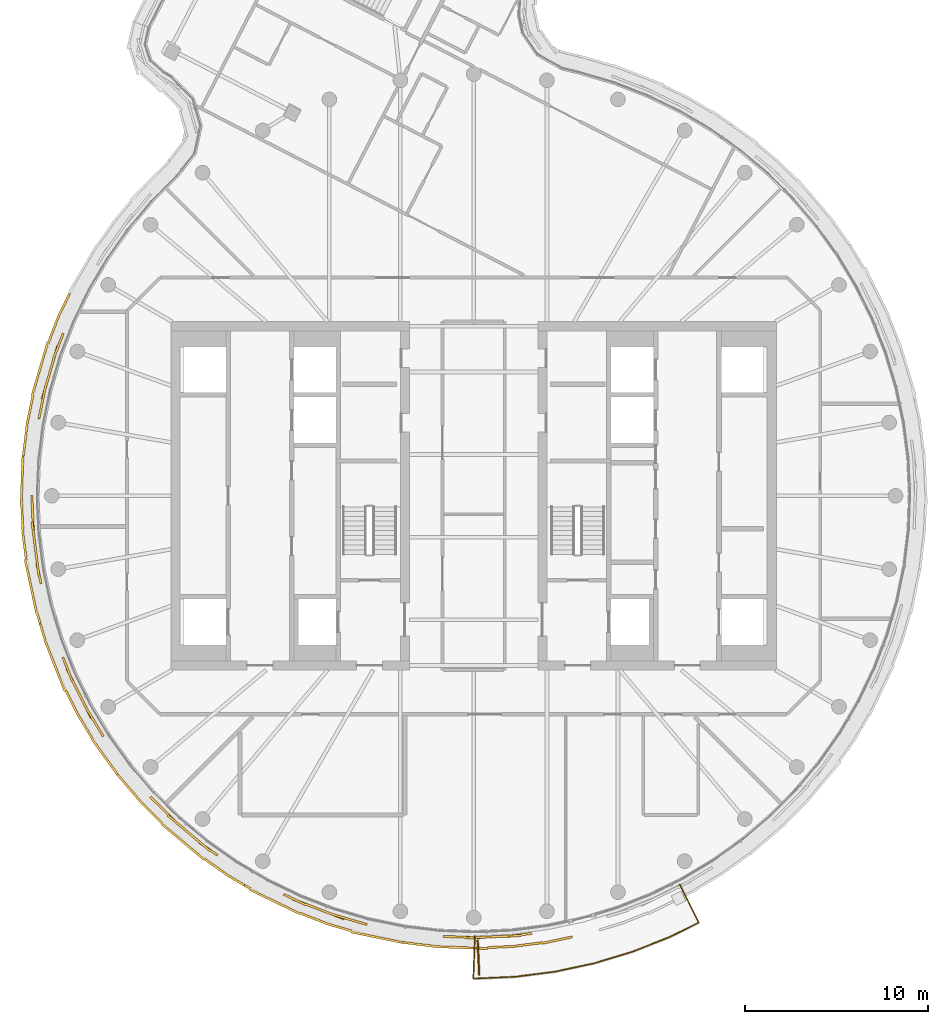
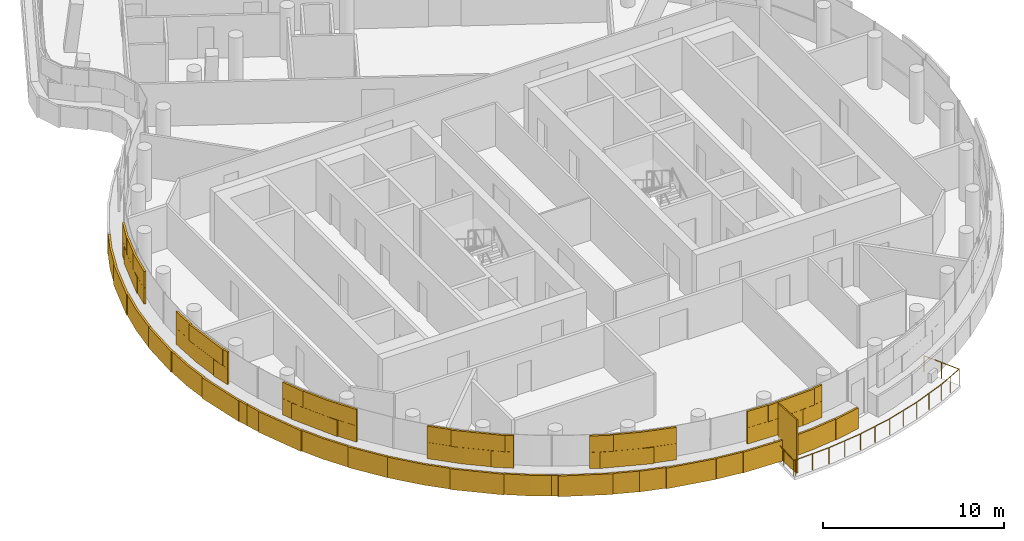
# One storey, part 17 of 21: 6 coverings, 1 railing, 1 shading device.
"""IFC4 building model written with IfcOpenShell, lengths in metres."""

from ifc_helpers import new_model, si_unit, direction, frame, origin, origin_2d, place, context, subcontext, project, spatial, rectangle, circle, extrude, material, layer, layer_set, type_object, element, save


model = new_model("IFC4")

# Units and contexts
model_context = context("Model", 3, precision=1e-05, world=origin(), true_north=direction((0.0, 1.0)))
body_context = subcontext(model_context, "Body", "Model", "MODEL_VIEW")
ifc_project = project(units=[si_unit("LENGTHUNIT", "METRE"), si_unit("AREAUNIT", "SQUARE_METRE"), si_unit("VOLUMEUNIT", "CUBIC_METRE"), si_unit("PLANEANGLEUNIT", "RADIAN"), si_unit("MASSUNIT", "GRAM", prefix="KILO")], contexts=[model_context])

# Site, building, storey
site_placement = place(None, origin())
site = spatial("IfcSite", under=ifc_project, at=site_placement, CompositionType="ELEMENT")
building_placement = place(site_placement, origin())
building = spatial("IfcBuilding", under=site, at=building_placement, Name="Tamarind Cross Interchange Tower", CompositionType="ELEMENT")
storey_placement = place(building_placement, frame((0.0, 0.0, 260.39990234375)))
storey = spatial("IfcBuildingStorey", under=building, at=storey_placement, Name="L66", CompositionType="ELEMENT", Elevation=260.39990234375)

# Railing
ifc_material_1 = material(Name="Stainless steel and laminated glass", Category="steel")
railing_type = type_object("IfcRailingType", Name="Balcony guard", PredefinedType="BALUSTRADE", material=ifc_material_1)
railing_placement = place(storey_placement, frame((0.0654296875, -23.994384765625, 0.0)))
element("IfcRailing", 1, at=railing_placement, inside=storey, type_object=railing_type, Name="Balcony guard 01", PredefinedType="BALUSTRADE", context=body_context, shape_type="SweptSolid", body=[
    extrude(circle(Radius=0.02490234375, at=origin_2d()), frame((0.0, 0.0, 1.0751953125), z_axis=(-0.037042798585, -0.999313680019, 0.0), x_axis=(0.999313680019, -0.037042798585, 0.0)), (0.0, 0.0, 1.0), 2.320068359375),
    extrude(circle(Radius=0.02490234375, at=origin_2d()), frame((-0.0859375, -2.318359375, 1.0751953125), z_axis=(0.999334672785, -0.03647206835, 0.0), x_axis=(0.03647206835, 0.999334672785, 0.0)), (0.0, 0.0, 1.0), 0.1337890625),
    extrude(circle(Radius=0.02490234375, at=origin_2d()), frame((0.0478515625, -2.3232421875, 1.0751953125), z_axis=(0.998961121212, 0.045570585979, 0.0), x_axis=(-0.045570585979, 0.998961121212, 0.0)), (0.0, 0.0, 1.0), 2.175048828125),
    extrude(circle(Radius=0.02490234375, at=origin_2d()), frame((2.220703125, -2.22412109375, 1.0751953125), z_axis=(0.991779704699, 0.127957091824, 0.0), x_axis=(-0.127957091824, 0.991779704699, 0.0)), (0.0, 0.0, 1.0), 2.175048828125),
    extrude(circle(Radius=0.02490234375, at=origin_2d()), frame((4.3779296875, -1.94580078125, 1.0751953125), z_axis=(0.977822119933, 0.209437106955, 0.0), x_axis=(-0.209437106955, 0.977822119933, 0.0)), (0.0, 0.0, 1.0), 2.17529296875),
    extrude(circle(Radius=0.02490234375, at=origin_2d()), frame((6.5048828125, -1.490234375, 1.0751953125), z_axis=(0.957187563191, 0.289468424656, 0.0), x_axis=(-0.289468424656, 0.957187563191, 0.0)), (0.0, 0.0, 1.0), 2.175048828125),
    extrude(circle(Radius=0.02490234375, at=origin_2d()), frame((8.5869140625, -0.860595703125, 1.0751953125), z_axis=(0.930047255074, 0.367439931593, 0.0), x_axis=(-0.367439931593, 0.930047255074, 0.0)), (0.0, 0.0, 1.0), 2.17529296875),
    extrude(circle(Radius=0.02490234375, at=origin_2d()), frame((10.610107421875, -0.061279296875, 1.0751953125), z_axis=(0.896477310399, 0.443089643232, 0.0), x_axis=(-0.443089643232, 0.896477310399, 0.0)), (0.0, 0.0, 1.0), 1.778076171875),
    extrude(circle(Radius=0.02490234375, at=origin_2d()), frame((12.2041015625, 0.7265625, 1.0751953125), z_axis=(-0.443125989283, 0.896459345214, 0.0), x_axis=(-0.896459345214, -0.443125989283, 0.0)), (0.0, 0.0, 1.0), 2.320068359375),
    extrude(circle(Radius=0.02001953125, at=origin_2d()), origin(), (0.0, 0.0, 1.0), 1.050048828125),
    extrude(circle(Radius=0.02001953125, at=origin_2d()), frame((-0.04296875, -1.1591796875, 0.0)), (0.0, 0.0, 1.0), 1.050048828125),
    extrude(circle(Radius=0.02001953125, at=origin_2d()), frame((-0.0859375, -2.318359375, 0.0)), (0.0, 0.0, 1.0), 1.050048828125),
    extrude(circle(Radius=0.02001953125, at=origin_2d()), frame((0.0478515625, -2.3232421875, 0.0)), (0.0, 0.0, 1.0), 1.050048828125),
    extrude(circle(Radius=0.02001953125, at=origin_2d()), frame((1.13427734375, -2.273681640625, 0.0)), (0.0, 0.0, 1.0), 1.050048828125),
    extrude(circle(Radius=0.02001953125, at=origin_2d()), frame((2.220703125, -2.22412109375, 0.0)), (0.0, 0.0, 1.0), 1.050048828125),
    extrude(circle(Radius=0.02001953125, at=origin_2d()), frame((3.29931640625, -2.0849609375, 0.0)), (0.0, 0.0, 1.0), 1.050048828125),
    extrude(circle(Radius=0.02001953125, at=origin_2d()), frame((4.3779296875, -1.94580078125, 0.0)), (0.0, 0.0, 1.0), 1.050048828125),
    extrude(circle(Radius=0.02001953125, at=origin_2d()), frame((5.44140625, -1.718017578125, 0.0)), (0.0, 0.0, 1.0), 1.050048828125),
    extrude(circle(Radius=0.02001953125, at=origin_2d()), frame((6.5048828125, -1.490234375, 0.0)), (0.0, 0.0, 1.0), 1.050048828125),
    extrude(circle(Radius=0.02001953125, at=origin_2d()), frame((7.5458984375, -1.17529296875, 0.0)), (0.0, 0.0, 1.0), 1.050048828125),
    extrude(circle(Radius=0.02001953125, at=origin_2d()), frame((8.5869140625, -0.860595703125, 0.0)), (0.0, 0.0, 1.0), 1.050048828125),
    extrude(circle(Radius=0.02001953125, at=origin_2d()), frame((9.5986328125, -0.4609375, 0.0)), (0.0, 0.0, 1.0), 1.050048828125),
    extrude(circle(Radius=0.02001953125, at=origin_2d()), frame((10.610107421875, -0.061279296875, 0.0)), (0.0, 0.0, 1.0), 1.050048828125),
    extrude(circle(Radius=0.02001953125, at=origin_2d()), frame((11.4072265625, 0.33251953125, 0.0)), (0.0, 0.0, 1.0), 1.050048828125),
    extrude(circle(Radius=0.02001953125, at=origin_2d()), frame((12.2041015625, 0.7265625, 0.0)), (0.0, 0.0, 1.0), 1.050048828125),
    extrude(circle(Radius=0.02001953125, at=origin_2d()), frame((11.68994140625, 1.7666015625, 0.0)), (0.0, 0.0, 1.0), 1.050048828125),
    extrude(circle(Radius=0.02001953125, at=origin_2d()), frame((11.176025390625, 2.806396484375, 0.0)), (0.0, 0.0, 1.0), 1.050048828125),
])

# Shading device
ifc_material_2 = material(Name="Bronze-finish aluminium louvre", Category="aluminium")
ifc_layer_1 = layer(ifc_material_2, 0.080078125)
ifc_layer_set_1 = layer_set([ifc_layer_1], Name="Bronze-finish aluminium louvre")
shading_device_type = type_object("IfcShadingDeviceType", Name="Operable louvre bay", PredefinedType="JALOUSIE", material=ifc_layer_set_1)
shading_device_placement = place(storey_placement, origin())
element("IfcShadingDevice", 2, at=shading_device_placement, inside=storey, type_object=shading_device_type, Name="LVR-L66-BAL01", PredefinedType="JALOUSIE", context=body_context, shape_type="SweptSolid", body=[
    extrude(rectangle(XDim=1.89990234375, YDim=0.080078125, at=origin_2d()), frame((0.260009765625, -25.189697265625, 0.0), z_axis=(0.0, 0.0, 1.0), x_axis=(0.045624486728, -0.998958660912, 0.0)), (0.0, 0.0, 1.0), 3.60009765625),
])

# Coverings
ifc_material_3 = material(Name="Terracotta", Category="masonry")
ifc_layer_2 = layer(ifc_material_3, 0.1201171875)
ifc_layer_set_2 = layer_set([ifc_layer_2], Name="Terracotta")
covering_type = type_object("IfcCoveringType", Name="Terracotta baguette screen unit", PredefinedType="MOLDING", material=ifc_layer_set_2)
covering_1_placement = place(storey_placement, origin())
element("IfcCovering", 3, at=covering_1_placement, inside=storey, type_object=covering_type, Name="SCR-L66-01-02", PredefinedType="MOLDING", context=body_context, shape_type="SweptSolid", body=[
    extrude(rectangle(XDim=0.7509765625, YDim=0.1201171875, at=origin_2d()), frame((-22.515625, 8.498291015625, 1.404296875), z_axis=(0.0, 0.0, 1.0), x_axis=(-0.359495435512, -0.933146843667, 0.0)), (0.0, 0.0, 1.0), 1.092041015625),
    extrude(rectangle(XDim=1.52001953125, YDim=0.1201171875, at=origin_2d()), frame((-22.895751953125, 7.445068359375, 1.404296875), z_axis=(0.0, 0.0, 1.0), x_axis=(-0.281208920763, -0.95964657186, 0.0)), (0.0, 0.0, 1.0), 1.092041015625),
    extrude(rectangle(XDim=1.52001953125, YDim=0.1201171875, at=origin_2d()), frame((-23.317626953125, 6.005615234375, 1.404296875), z_axis=(0.0, 0.0, 1.0), x_axis=(-0.281208920763, -0.95964657186, 0.0)), (0.0, 0.0, 1.0), 1.092041015625),
    extrude(rectangle(XDim=1.1123046875, YDim=0.1201171875, at=origin_2d()), frame((-23.59521484375, 4.73486328125, 1.404296875), z_axis=(0.0, 0.0, 1.0), x_axis=(-0.201001463943, -0.9795909409, 0.0)), (0.0, 0.0, 1.0), 1.092041015625),
    extrude(rectangle(XDim=1.5009765625, YDim=0.1201171875, at=origin_2d()), frame((-22.650390625, 8.148193359375, 2.50390625), z_axis=(0.0, 0.0, 1.0), x_axis=(-0.359495435512, -0.933146843667, 0.0)), (0.0, 0.0, 1.0), 1.092041015625),
    extrude(rectangle(XDim=1.52001953125, YDim=0.1201171875, at=origin_2d()), frame((-23.106689453125, 6.725341796875, 2.50390625), z_axis=(0.0, 0.0, 1.0), x_axis=(-0.281208920763, -0.95964657186, 0.0)), (0.0, 0.0, 1.0), 1.092041015625),
    extrude(rectangle(XDim=1.52001953125, YDim=0.1201171875, at=origin_2d()), frame((-23.484619140625, 5.27490234375, 2.50390625), z_axis=(0.0, 0.0, 1.0), x_axis=(-0.201001463943, -0.9795909409, 0.0)), (0.0, 0.0, 1.0), 1.092041015625),
    extrude(rectangle(XDim=0.3623046875, YDim=0.1201171875, at=origin_2d()), frame((-23.670654296875, 4.36767578125, 2.50390625), z_axis=(0.0, 0.0, 1.0), x_axis=(-0.201001463943, -0.9795909409, 0.0)), (0.0, 0.0, 1.0), 1.092041015625),
    extrude(rectangle(XDim=1.420654296875, YDim=0.1201171875, at=origin_2d()), frame((-22.350830078125, 10.377685546875, 0.004150390625), z_axis=(0.0, 0.0, 1.0), x_axis=(-0.435326231914, -0.900272776334, 0.0)), (0.0, 0.0, 1.0), 1.39208984375),
    extrude(rectangle(XDim=1.52001953125, YDim=0.1201171875, at=origin_2d()), frame((-22.920166015625, 9.044921875, 0.004150390625), z_axis=(0.0, 0.0, 1.0), x_axis=(-0.359495435512, -0.933146843667, 0.0)), (0.0, 0.0, 1.0), 1.39208984375),
    extrude(rectangle(XDim=1.52001953125, YDim=0.1201171875, at=origin_2d()), frame((-23.4375, 7.6376953125, 0.004150390625), z_axis=(0.0, 0.0, 1.0), x_axis=(-0.281208920763, -0.95964657186, 0.0)), (0.0, 0.0, 1.0), 1.39208984375),
    extrude(rectangle(XDim=1.52001953125, YDim=0.1201171875, at=origin_2d()), frame((-23.859130859375, 6.1982421875, 0.004150390625), z_axis=(0.0, 0.0, 1.0), x_axis=(-0.281208920763, -0.95964657186, 0.0)), (0.0, 0.0, 1.0), 1.39208984375),
    extrude(rectangle(XDim=1.52001953125, YDim=0.1201171875, at=origin_2d()), frame((-24.181396484375, 4.734130859375, 0.004150390625), z_axis=(0.0, 0.0, 1.0), x_axis=(-0.201001463943, -0.9795909409, 0.0)), (0.0, 0.0, 1.0), 1.39208984375),
    extrude(rectangle(XDim=1.52001953125, YDim=0.1201171875, at=origin_2d()), frame((-24.425537109375, 3.25537109375, 0.004150390625), z_axis=(0.0, 0.0, 1.0), x_axis=(-0.119420963295, -0.992843710523, 0.0)), (0.0, 0.0, 1.0), 1.39208984375),
    extrude(rectangle(XDim=0.358154296875, YDim=0.1201171875, at=origin_2d()), frame((-24.53515625, 2.3427734375, 0.004150390625), z_axis=(0.0, 0.0, 1.0), x_axis=(-0.119420963295, -0.992843710523, 0.0)), (0.0, 0.0, 1.0), 1.39208984375),
])
covering_2_placement = place(storey_placement, origin())
element("IfcCovering", 4, at=covering_2_placement, inside=storey, type_object=covering_type, Name="SCR-L66-01-03", PredefinedType="MOLDING", context=body_context, shape_type="SweptSolid", body=[
    extrude(rectangle(XDim=0.707763671875, YDim=0.1201171875, at=origin_2d()), frame((-24.075439453125, -0.3310546875, 1.404296875), z_axis=(0.0, 0.0, 1.0), x_axis=(0.045624486728, -0.998958660912, 0.0)), (0.0, 0.0, 1.0), 1.092041015625),
    extrude(rectangle(XDim=1.52001953125, YDim=0.1201171875, at=origin_2d()), frame((-24.025390625, -1.4287109375, 1.404296875), z_axis=(0.0, 0.0, 1.0), x_axis=(0.045624486728, -0.998958660912, 0.0)), (0.0, 0.0, 1.0), 1.092041015625),
    extrude(rectangle(XDim=1.52001953125, YDim=0.1201171875, at=origin_2d()), frame((-23.887939453125, -2.921142578125, 1.404296875), z_axis=(0.0, 0.0, 1.0), x_axis=(0.127962008342, -0.991779070368, 0.0)), (0.0, 0.0, 1.0), 1.092041015625),
    extrude(rectangle(XDim=1.155029296875, YDim=0.1201171875, at=origin_2d()), frame((-23.705078125, -4.23046875, 1.404296875), z_axis=(0.0, 0.0, 1.0), x_axis=(0.209425419705, -0.977824623121, 0.0)), (0.0, 0.0, 1.0), 1.092041015625),
    extrude(rectangle(XDim=1.457763671875, YDim=0.1201171875, at=origin_2d()), frame((-24.058349609375, -0.70556640625, 2.50390625), z_axis=(0.0, 0.0, 1.0), x_axis=(0.045624486728, -0.998958660912, 0.0)), (0.0, 0.0, 1.0), 1.092041015625),
    extrude(rectangle(XDim=1.52001953125, YDim=0.1201171875, at=origin_2d()), frame((-23.98388671875, -2.17724609375, 2.50390625), z_axis=(0.0, 0.0, 1.0), x_axis=(0.127962008342, -0.991779070368, 0.0)), (0.0, 0.0, 1.0), 1.092041015625),
    extrude(rectangle(XDim=1.52001953125, YDim=0.1201171875, at=origin_2d()), frame((-23.7919921875, -3.6650390625, 2.50390625), z_axis=(0.0, 0.0, 1.0), x_axis=(0.127962008342, -0.991779070368, 0.0)), (0.0, 0.0, 1.0), 1.092041015625),
    extrude(rectangle(XDim=0.405029296875, YDim=0.1201171875, at=origin_2d()), frame((-23.626708984375, -4.59716796875, 2.50390625), z_axis=(0.0, 0.0, 1.0), x_axis=(0.209425419705, -0.977824623121, 0.0)), (0.0, 0.0, 1.0), 1.092041015625),
    extrude(rectangle(XDim=1.161865234375, YDim=0.1201171875, at=origin_2d()), frame((-24.59765625, 1.5859375, 0.004150390625), z_axis=(0.0, 0.0, 1.0), x_axis=(-0.037024696392, -0.999314350871, 0.0)), (0.0, 0.0, 1.0), 1.39208984375),
    extrude(rectangle(XDim=1.52001953125, YDim=0.1201171875, at=origin_2d()), frame((-24.646484375, 0.26611328125, 0.004150390625), z_axis=(0.0, 0.0, 1.0), x_axis=(-0.037024696392, -0.999314350871, 0.0)), (0.0, 0.0, 1.0), 1.39208984375),
    extrude(rectangle(XDim=1.52001953125, YDim=0.1201171875, at=origin_2d()), frame((-24.60888671875, -1.232421875, 0.004150390625), z_axis=(0.0, 0.0, 1.0), x_axis=(0.045624486728, -0.998958660912, 0.0)), (0.0, 0.0, 1.0), 1.39208984375),
    extrude(rectangle(XDim=1.52001953125, YDim=0.1201171875, at=origin_2d()), frame((-24.491943359375, -2.726806640625, 0.004150390625), z_axis=(0.0, 0.0, 1.0), x_axis=(0.127962008342, -0.991779070368, 0.0)), (0.0, 0.0, 1.0), 1.39208984375),
    extrude(rectangle(XDim=1.52001953125, YDim=0.1201171875, at=origin_2d()), frame((-24.295654296875, -4.213623046875, 0.004150390625), z_axis=(0.0, 0.0, 1.0), x_axis=(0.209425419705, -0.977824623121, 0.0)), (0.0, 0.0, 1.0), 1.39208984375),
    extrude(rectangle(XDim=1.52001953125, YDim=0.1201171875, at=origin_2d()), frame((-23.981689453125, -5.680419921875, 0.004150390625), z_axis=(0.0, 0.0, 1.0), x_axis=(0.209425419705, -0.977824623121, 0.0)), (0.0, 0.0, 1.0), 1.39208984375),
    extrude(rectangle(XDim=0.61669921875, YDim=0.1201171875, at=origin_2d()), frame((-23.71728515625, -6.69384765625, 0.004150390625), z_axis=(0.0, 0.0, 1.0), x_axis=(0.289458243079, -0.957190642199, 0.0)), (0.0, 0.0, 1.0), 1.39208984375),
])
covering_3_placement = place(storey_placement, origin())
element("IfcCovering", 5, at=covering_3_placement, inside=storey, type_object=covering_type, Name="SCR-L66-01-04", PredefinedType="MOLDING", context=body_context, shape_type="SweptSolid", body=[
    extrude(rectangle(XDim=0.6650390625, YDim=0.1201171875, at=origin_2d()), frame((-22.2744140625, -9.11474609375, 1.404296875), z_axis=(0.0, 0.0, 1.0), x_axis=(0.367513773146, -0.930018078613, 0.0)), (0.0, 0.0, 1.0), 1.092041015625),
    extrude(rectangle(XDim=1.52001953125, YDim=0.1201171875, at=origin_2d()), frame((-21.850341796875, -10.1044921875, 1.404296875), z_axis=(0.0, 0.0, 1.0), x_axis=(0.443058811505, -0.896492548518, 0.0)), (0.0, 0.0, 1.0), 1.092041015625),
    extrude(rectangle(XDim=1.52001953125, YDim=0.1201171875, at=origin_2d()), frame((-21.185791015625, -11.44921875, 1.404296875), z_axis=(0.0, 0.0, 1.0), x_axis=(0.443058811505, -0.896492548518, 0.0)), (0.0, 0.0, 1.0), 1.092041015625),
    extrude(rectangle(XDim=1.1982421875, YDim=0.1201171875, at=origin_2d()), frame((-20.501220703125, -12.60546875, 1.404296875), z_axis=(0.0, 0.0, 1.0), x_axis=(0.515577308909, -0.856843065292, 0.0)), (0.0, 0.0, 1.0), 1.092041015625),
    extrude(rectangle(XDim=1.4150390625, YDim=0.1201171875, at=origin_2d()), frame((-22.13671875, -9.463623046875, 2.50390625), z_axis=(0.0, 0.0, 1.0), x_axis=(0.367513773146, -0.930018078613, 0.0)), (0.0, 0.0, 1.0), 1.092041015625),
    extrude(rectangle(XDim=1.52001953125, YDim=0.1201171875, at=origin_2d()), frame((-21.51806640625, -10.77685546875, 2.50390625), z_axis=(0.0, 0.0, 1.0), x_axis=(0.443058811505, -0.896492548518, 0.0)), (0.0, 0.0, 1.0), 1.092041015625),
    extrude(rectangle(XDim=1.52001953125, YDim=0.1201171875, at=origin_2d()), frame((-20.8076171875, -12.096435546875, 2.50390625), z_axis=(0.0, 0.0, 1.0), x_axis=(0.515577308909, -0.856843065292, 0.0)), (0.0, 0.0, 1.0), 1.092041015625),
    extrude(rectangle(XDim=0.4482421875, YDim=0.1201171875, at=origin_2d()), frame((-20.307861328125, -12.9267578125, 2.50390625), z_axis=(0.0, 0.0, 1.0), x_axis=(0.515577308909, -0.856843065292, 0.0)), (0.0, 0.0, 1.0), 1.092041015625),
    extrude(rectangle(XDim=0.9033203125, YDim=0.1201171875, at=origin_2d()), frame((-23.4970703125, -7.42138671875, 0.004150390625), z_axis=(0.0, 0.0, 1.0), x_axis=(0.289458243079, -0.957190642199, 0.0)), (0.0, 0.0, 1.0), 1.39208984375),
    extrude(rectangle(XDim=1.52001953125, YDim=0.1201171875, at=origin_2d()), frame((-23.115234375, -8.549072265625, 0.004150390625), z_axis=(0.0, 0.0, 1.0), x_axis=(0.367513773146, -0.930018078613, 0.0)), (0.0, 0.0, 1.0), 1.39208984375),
    extrude(rectangle(XDim=1.52001953125, YDim=0.1201171875, at=origin_2d()), frame((-22.56396484375, -9.944091796875, 0.004150390625), z_axis=(0.0, 0.0, 1.0), x_axis=(0.367513773146, -0.930018078613, 0.0)), (0.0, 0.0, 1.0), 1.39208984375),
    extrude(rectangle(XDim=1.52001953125, YDim=0.1201171875, at=origin_2d()), frame((-21.904052734375, -11.291015625, 0.004150390625), z_axis=(0.0, 0.0, 1.0), x_axis=(0.443058811505, -0.896492548518, 0.0)), (0.0, 0.0, 1.0), 1.39208984375),
    extrude(rectangle(XDim=1.52001953125, YDim=0.1201171875, at=origin_2d()), frame((-21.17431640625, -12.60009765625, 0.004150390625), z_axis=(0.0, 0.0, 1.0), x_axis=(0.515577308909, -0.856843065292, 0.0)), (0.0, 0.0, 1.0), 1.39208984375),
    extrude(rectangle(XDim=1.52001953125, YDim=0.1201171875, at=origin_2d()), frame((-20.376220703125, -13.868896484375, 0.004150390625), z_axis=(0.0, 0.0, 1.0), x_axis=(0.584573890505, -0.811340475102, 0.0)), (0.0, 0.0, 1.0), 1.39208984375),
    extrude(rectangle(XDim=0.87548828125, YDim=0.1201171875, at=origin_2d()), frame((-19.687744140625, -14.824462890625, 0.004150390625), z_axis=(0.0, 0.0, 1.0), x_axis=(0.584573890505, -0.811340475102, 0.0)), (0.0, 0.0, 1.0), 1.39208984375),
])
covering_4_placement = place(storey_placement, origin())
element("IfcCovering", 6, at=covering_4_placement, inside=storey, type_object=covering_type, Name="SCR-L66-01-05", PredefinedType="MOLDING", context=body_context, shape_type="SweptSolid", body=[
    extrude(rectangle(XDim=0.621826171875, YDim=0.1201171875, at=origin_2d()), frame((-17.398681640625, -16.638427734375, 1.404296875), z_axis=(0.0, 0.0, 1.0), x_axis=(0.710143317658, -0.704057148523, 0.0)), (0.0, 0.0, 1.0), 1.092041015625),
    extrude(rectangle(XDim=1.52001953125, YDim=0.1201171875, at=origin_2d()), frame((-16.64892578125, -17.3818359375, 1.404296875), z_axis=(0.0, 0.0, 1.0), x_axis=(0.710143317658, -0.704057148523, 0.0)), (0.0, 0.0, 1.0), 1.092041015625),
    extrude(rectangle(XDim=1.52001953125, YDim=0.1201171875, at=origin_2d()), frame((-15.532470703125, -18.3818359375, 1.404296875), z_axis=(0.0, 0.0, 1.0), x_axis=(0.765858396687, -0.643009266048, 0.0)), (0.0, 0.0, 1.0), 1.092041015625),
    extrude(rectangle(XDim=1.240966796875, YDim=0.1201171875, at=origin_2d()), frame((-14.471923828125, -19.24072265625, 1.404296875), z_axis=(0.0, 0.0, 1.0), x_axis=(0.816341886298, -0.577568978284, 0.0)), (0.0, 0.0, 1.0), 1.092041015625),
    extrude(rectangle(XDim=1.371826171875, YDim=0.1201171875, at=origin_2d()), frame((-17.132568359375, -16.902587890625, 2.50390625), z_axis=(0.0, 0.0, 1.0), x_axis=(0.710143317658, -0.704057148523, 0.0)), (0.0, 0.0, 1.0), 1.092041015625),
    extrude(rectangle(XDim=1.52001953125, YDim=0.1201171875, at=origin_2d()), frame((-16.10693359375, -17.899658203125, 2.50390625), z_axis=(0.0, 0.0, 1.0), x_axis=(0.765858396687, -0.643009266048, 0.0)), (0.0, 0.0, 1.0), 1.092041015625),
    extrude(rectangle(XDim=1.52001953125, YDim=0.1201171875, at=origin_2d()), frame((-14.9580078125, -18.8642578125, 2.50390625), z_axis=(0.0, 0.0, 1.0), x_axis=(0.765858396687, -0.643009266048, 0.0)), (0.0, 0.0, 1.0), 1.092041015625),
    extrude(rectangle(XDim=0.490966796875, YDim=0.1201171875, at=origin_2d()), frame((-14.165771484375, -19.457275390625, 2.50390625), z_axis=(0.0, 0.0, 1.0), x_axis=(0.816341886298, -0.577568978284, 0.0)), (0.0, 0.0, 1.0), 1.092041015625),
    extrude(rectangle(XDim=0.64453125, YDim=0.1201171875, at=origin_2d()), frame((-19.2265625, -15.427978515625, 0.004150390625), z_axis=(0.0, 0.0, 1.0), x_axis=(0.64957723968, -0.760295606781, 0.0)), (0.0, 0.0, 1.0), 1.39208984375),
    extrude(rectangle(XDim=1.52001953125, YDim=0.1201171875, at=origin_2d()), frame((-18.536376953125, -16.235595703125, 0.004150390625), z_axis=(0.0, 0.0, 1.0), x_axis=(0.64957723968, -0.760295606781, 0.0)), (0.0, 0.0, 1.0), 1.39208984375),
    extrude(rectangle(XDim=1.52001953125, YDim=0.1201171875, at=origin_2d()), frame((-17.5146484375, -17.331787109375, 0.004150390625), z_axis=(0.0, 0.0, 1.0), x_axis=(0.710143317658, -0.704057148523, 0.0)), (0.0, 0.0, 1.0), 1.39208984375),
    extrude(rectangle(XDim=1.52001953125, YDim=0.1201171875, at=origin_2d()), frame((-16.435791015625, -18.373046875, 0.004150390625), z_axis=(0.0, 0.0, 1.0), x_axis=(0.765858396687, -0.643009266048, 0.0)), (0.0, 0.0, 1.0), 1.39208984375),
    extrude(rectangle(XDim=1.52001953125, YDim=0.1201171875, at=origin_2d()), frame((-15.286865234375, -19.33740234375, 0.004150390625), z_axis=(0.0, 0.0, 1.0), x_axis=(0.765858396687, -0.643009266048, 0.0)), (0.0, 0.0, 1.0), 1.39208984375),
    extrude(rectangle(XDim=1.52001953125, YDim=0.1201171875, at=origin_2d()), frame((-14.0771484375, -20.222900390625, 0.004150390625), z_axis=(0.0, 0.0, 1.0), x_axis=(0.816341886298, -0.577568978284, 0.0)), (0.0, 0.0, 1.0), 1.39208984375),
    extrude(rectangle(XDim=1.134033203125, YDim=0.1201171875, at=origin_2d()), frame((-12.98876953125, -20.94482421875, 0.004150390625), z_axis=(0.0, 0.0, 1.0), x_axis=(0.861248933065, -0.508183308752, 0.0)), (0.0, 0.0, 1.0), 1.39208984375),
])
covering_5_placement = place(storey_placement, origin())
element("IfcCovering", 7, at=covering_5_placement, inside=storey, type_object=covering_type, Name="SCR-L66-01-06", PredefinedType="MOLDING", context=body_context, shape_type="SweptSolid", body=[
    extrude(rectangle(XDim=0.578857421875, YDim=0.1201171875, at=origin_2d()), frame((-10.1005859375, -21.84716796875, 1.404296875), z_axis=(0.0, 0.0, 1.0), x_axis=(0.900272776334, -0.435326231914, 0.0)), (0.0, 0.0, 1.0), 1.092041015625),
    extrude(rectangle(XDim=1.52001953125, YDim=0.1201171875, at=origin_2d()), frame((-9.154296875, -22.262939453125, 1.404296875), z_axis=(0.0, 0.0, 1.0), x_axis=(0.933146843667, -0.359495435512, 0.0)), (0.0, 0.0, 1.0), 1.092041015625),
    extrude(rectangle(XDim=1.52001953125, YDim=0.1201171875, at=origin_2d()), frame((-7.75439453125, -22.80224609375, 1.404296875), z_axis=(0.0, 0.0, 1.0), x_axis=(0.933146843667, -0.359495435512, 0.0)), (0.0, 0.0, 1.0), 1.092041015625),
    extrude(rectangle(XDim=1.28369140625, YDim=0.1201171875, at=origin_2d()), frame((-6.424560546875, -23.19482421875, 1.404296875), z_axis=(0.0, 0.0, 1.0), x_axis=(0.95964657186, -0.281208920763, 0.0)), (0.0, 0.0, 1.0), 1.092041015625),
    extrude(rectangle(XDim=1.328857421875, YDim=0.1201171875, at=origin_2d()), frame((-9.762939453125, -22.010498046875, 2.50390625), z_axis=(0.0, 0.0, 1.0), x_axis=(0.900272776334, -0.435326231914, 0.0)), (0.0, 0.0, 1.0), 1.092041015625),
    extrude(rectangle(XDim=1.52001953125, YDim=0.1201171875, at=origin_2d()), frame((-8.454345703125, -22.532470703125, 2.50390625), z_axis=(0.0, 0.0, 1.0), x_axis=(0.933146843667, -0.359495435512, 0.0)), (0.0, 0.0, 1.0), 1.092041015625),
    extrude(rectangle(XDim=1.52001953125, YDim=0.1201171875, at=origin_2d()), frame((-7.03564453125, -23.015625, 2.50390625), z_axis=(0.0, 0.0, 1.0), x_axis=(0.95964657186, -0.281208920763, 0.0)), (0.0, 0.0, 1.0), 1.092041015625),
    extrude(rectangle(XDim=0.53369140625, YDim=0.1201171875, at=origin_2d()), frame((-6.064697265625, -23.30029296875, 2.50390625), z_axis=(0.0, 0.0, 1.0), x_axis=(0.95964657186, -0.281208920763, 0.0)), (0.0, 0.0, 1.0), 1.092041015625),
    extrude(rectangle(XDim=0.385986328125, YDim=0.1201171875, at=origin_2d()), frame((-12.334228515625, -21.3310546875, 0.004150390625), z_axis=(0.0, 0.0, 1.0), x_axis=(0.861248933065, -0.508183308752, 0.0)), (0.0, 0.0, 1.0), 1.39208984375),
    extrude(rectangle(XDim=1.52001953125, YDim=0.1201171875, at=origin_2d()), frame((-11.525634765625, -21.795654296875, 0.004150390625), z_axis=(0.0, 0.0, 1.0), x_axis=(0.900272776334, -0.435326231914, 0.0)), (0.0, 0.0, 1.0), 1.39208984375),
    extrude(rectangle(XDim=1.52001953125, YDim=0.1201171875, at=origin_2d()), frame((-10.17529296875, -22.44873046875, 0.004150390625), z_axis=(0.0, 0.0, 1.0), x_axis=(0.900272776334, -0.435326231914, 0.0)), (0.0, 0.0, 1.0), 1.39208984375),
    extrude(rectangle(XDim=1.52001953125, YDim=0.1201171875, at=origin_2d()), frame((-8.788818359375, -23.018798828125, 0.004150390625), z_axis=(0.0, 0.0, 1.0), x_axis=(0.933146843667, -0.359495435512, 0.0)), (0.0, 0.0, 1.0), 1.39208984375),
    extrude(rectangle(XDim=1.52001953125, YDim=0.1201171875, at=origin_2d()), frame((-7.37451171875, -23.5146484375, 0.004150390625), z_axis=(0.0, 0.0, 1.0), x_axis=(0.95964657186, -0.281208920763, 0.0)), (0.0, 0.0, 1.0), 1.39208984375),
    extrude(rectangle(XDim=1.52001953125, YDim=0.1201171875, at=origin_2d()), frame((-5.934814453125, -23.93505859375, 0.004150390625), z_axis=(0.0, 0.0, 1.0), x_axis=(0.9795909409, -0.201001463943, 0.0)), (0.0, 0.0, 1.0), 1.39208984375),
    extrude(rectangle(XDim=1.392578125, YDim=0.1201171875, at=origin_2d()), frame((-4.52783203125, -24.2236328125, 0.004150390625), z_axis=(0.0, 0.0, 1.0), x_axis=(0.9795909409, -0.201001463943, 0.0)), (0.0, 0.0, 1.0), 1.39208984375),
])
covering_6_placement = place(storey_placement, origin())
element("IfcCovering", 8, at=covering_6_placement, inside=storey, type_object=covering_type, Name="SCR-L66-01-07", PredefinedType="MOLDING", context=body_context, shape_type="SweptSolid", body=[
    extrude(rectangle(XDim=0.5361328125, YDim=0.1201171875, at=origin_2d()), frame((-1.405517578125, -24.02978515625, 1.404296875), z_axis=(0.0, 0.0, 1.0), x_axis=(0.999314350871, -0.037024696392, 0.0)), (0.0, 0.0, 1.0), 1.092041015625),
    extrude(rectangle(XDim=1.52001953125, YDim=0.1201171875, at=origin_2d()), frame((-0.39306640625, -24.0673828125, 1.404296875), z_axis=(0.0, 0.0, 1.0), x_axis=(0.999314350871, -0.037024696392, 0.0)), (0.0, 0.0, 1.0), 1.092041015625),
    extrude(rectangle(XDim=1.52001953125, YDim=0.1201171875, at=origin_2d()), frame((1.105712890625, -24.0400390625, 1.404296875), z_axis=(0.0, 0.0, 1.0), x_axis=(0.998958660912, 0.045624486728, 0.0)), (0.0, 0.0, 1.0), 1.092041015625),
    extrude(rectangle(XDim=1.326904296875, YDim=0.1201171875, at=origin_2d()), frame((2.509521484375, -23.941162109375, 1.404296875), z_axis=(0.0, 0.0, 1.0), x_axis=(0.991779070368, 0.127962008342, 0.0)), (0.0, 0.0, 1.0), 1.092041015625),
    extrude(rectangle(XDim=1.2861328125, YDim=0.1201171875, at=origin_2d()), frame((-1.03076171875, -24.043701171875, 2.50390625), z_axis=(0.0, 0.0, 1.0), x_axis=(0.999314350871, -0.037024696392, 0.0)), (0.0, 0.0, 1.0), 1.092041015625),
    extrude(rectangle(XDim=1.52001953125, YDim=0.1201171875, at=origin_2d()), frame((0.3564453125, -24.07421875, 2.50390625), z_axis=(0.0, 0.0, 1.0), x_axis=(0.998958660912, 0.045624486728, 0.0)), (0.0, 0.0, 1.0), 1.092041015625),
    extrude(rectangle(XDim=1.52001953125, YDim=0.1201171875, at=origin_2d()), frame((1.854736328125, -24.005859375, 2.50390625), z_axis=(0.0, 0.0, 1.0), x_axis=(0.998958660912, 0.045624486728, 0.0)), (0.0, 0.0, 1.0), 1.092041015625),
    extrude(rectangle(XDim=0.576904296875, YDim=0.1201171875, at=origin_2d()), frame((2.881591796875, -23.89306640625, 2.50390625), z_axis=(0.0, 0.0, 1.0), x_axis=(0.991779070368, 0.127962008342, 0.0)), (0.0, 0.0, 1.0), 1.092041015625),
    extrude(rectangle(XDim=0.12744140625, YDim=0.1201171875, at=origin_2d()), frame((-3.781005859375, -24.3623046875, 0.004150390625), z_axis=(0.0, 0.0, 1.0), x_axis=(0.992843710523, -0.119420963295, 0.0)), (0.0, 0.0, 1.0), 1.39208984375),
    extrude(rectangle(XDim=1.52001953125, YDim=0.1201171875, at=origin_2d()), frame((-2.98291015625, -24.458251953125, 0.004150390625), z_axis=(0.0, 0.0, 1.0), x_axis=(0.992843710523, -0.119420963295, 0.0)), (0.0, 0.0, 1.0), 1.39208984375),
    extrude(rectangle(XDim=1.52001953125, YDim=0.1201171875, at=origin_2d()), frame((-1.490966796875, -24.60107421875, 0.004150390625), z_axis=(0.0, 0.0, 1.0), x_axis=(0.999314350871, -0.037024696392, 0.0)), (0.0, 0.0, 1.0), 1.39208984375),
    extrude(rectangle(XDim=1.52001953125, YDim=0.1201171875, at=origin_2d()), frame((0.008056640625, -24.65673828125, 0.004150390625), z_axis=(0.0, 0.0, 1.0), x_axis=(0.999314350871, -0.037024696392, 0.0)), (0.0, 0.0, 1.0), 1.39208984375),
    extrude(rectangle(XDim=1.52001953125, YDim=0.1201171875, at=origin_2d()), frame((1.506591796875, -24.596435546875, 0.004150390625), z_axis=(0.0, 0.0, 1.0), x_axis=(0.998958660912, 0.045624486728, 0.0)), (0.0, 0.0, 1.0), 1.39208984375),
    extrude(rectangle(XDim=1.52001953125, YDim=0.1201171875, at=origin_2d()), frame((2.998779296875, -24.456787109375, 0.004150390625), z_axis=(0.0, 0.0, 1.0), x_axis=(0.991779070368, 0.127962008342, 0.0)), (0.0, 0.0, 1.0), 1.39208984375),
    extrude(rectangle(XDim=1.52001953125, YDim=0.1201171875, at=origin_2d()), frame((4.48193359375, -24.23828125, 0.004150390625), z_axis=(0.0, 0.0, 1.0), x_axis=(0.977824623121, 0.209425419705, 0.0)), (0.0, 0.0, 1.0), 1.39208984375),
    extrude(rectangle(XDim=0.1513671875, YDim=0.1201171875, at=origin_2d()), frame((5.279541015625, -24.0673828125, 0.004150390625), z_axis=(0.0, 0.0, 1.0), x_axis=(0.977824623121, 0.209425419705, 0.0)), (0.0, 0.0, 1.0), 1.39208984375),
])

save(model, "model.ifc")
